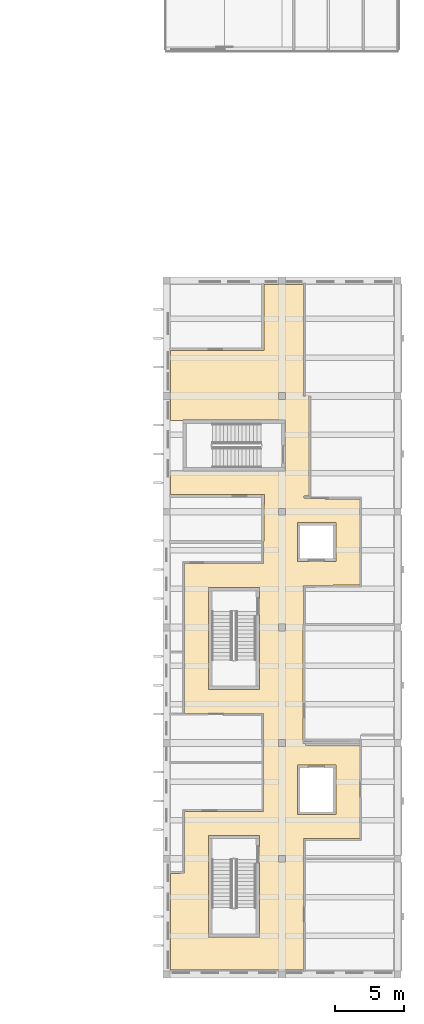
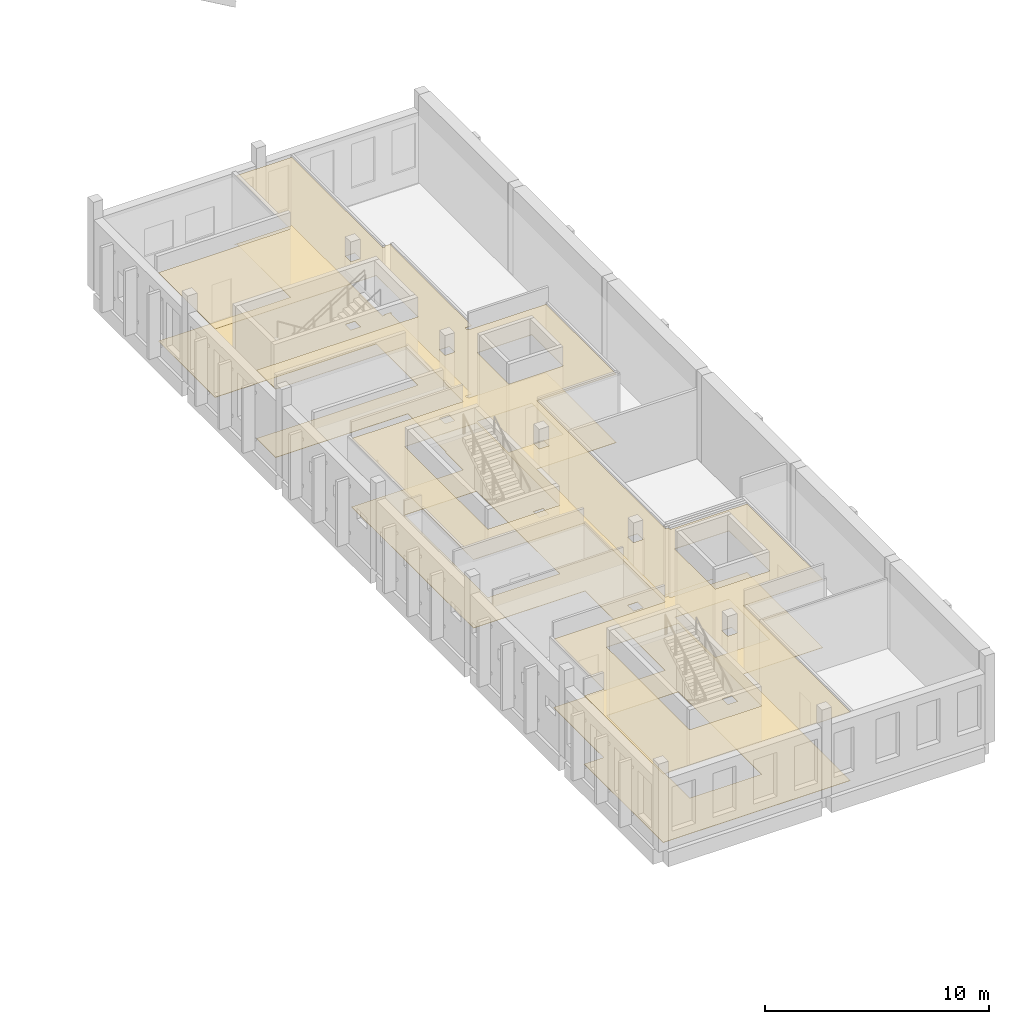
# One storey, part 25 of 37: 2 coverings.
"""IFC4 building model written with IfcOpenShell, lengths in metres."""

from ifc_helpers import new_model, si_unit, direction, frame, origin, place, context, subcontext, project, spatial, polyline, outline, extrude, material, layer, layer_set, type_object, element, save


model = new_model("IFC4")

# Units and contexts
model_context = context("Model", 3, precision=1e-05, world=origin(), true_north=direction((0.0, 1.0)))
body_context = subcontext(model_context, "Body", "Model", "MODEL_VIEW")
ifc_project = project(units=[si_unit("LENGTHUNIT", "METRE"), si_unit("AREAUNIT", "SQUARE_METRE"), si_unit("VOLUMEUNIT", "CUBIC_METRE"), si_unit("PLANEANGLEUNIT", "RADIAN"), si_unit("MASSUNIT", "GRAM", prefix="KILO")], contexts=[model_context])

# Site, building, storey
site_placement = place(None, origin())
site = spatial("IfcSite", under=ifc_project, at=site_placement, CompositionType="ELEMENT")
building_placement = place(site_placement, origin())
building = spatial("IfcBuilding", under=site, at=building_placement, Name="Larchfold Concert Hall", CompositionType="ELEMENT")
storey_placement = place(building_placement, frame((0.0, 0.0, 19.199951171875)))
storey = spatial("IfcBuildingStorey", under=building, at=storey_placement, Name="L04", CompositionType="ELEMENT", Elevation=19.199951171875)

# Coverings
ifc_material_1 = material(Name="Mineral fibre ceiling tile")
ifc_layer_1 = layer(ifc_material_1, 0.02001953125)
ifc_layer_set_1 = layer_set([ifc_layer_1], Name="Mineral fibre ceiling tile")
covering_type_1 = type_object("IfcCoveringType", Name="Ceiling mineral fibre tile 20", PredefinedType="CEILING", material=ifc_layer_set_1)
covering_1_placement = place(storey_placement, frame((0.0, 0.0, 3.72021484375)))
element("IfcCovering", 1, at=covering_1_placement, inside=storey, type_object=covering_type_1, Name="Ceiling Corridor 02", PredefinedType="CEILING", context=body_context, shape_type="SweptSolid", body=[
    extrude(outline(polyline([(84.900390625, 7.9375), (84.900146484375, 7.97412109375), (84.900146484375, 0.900146484375), (94.53759765625, 0.900146484375), (94.53857421875, 10.456298828125), (98.636474609375, 10.46337890625), (98.636474609375, 17.220458984375), (94.681884765625, 17.221435546875), (94.681884765625, 17.367431640625), (94.526611328125, 17.366943359375), (94.52587890625, 17.529052734375), (97.07568359375, 17.53466796875), (94.677001953125, 17.53515625), (94.673828125, 17.60009765625), (94.673828125, 17.533935546875), (94.52392578125, 17.533935546875), (94.525146484375, 26.02001953125), (94.53759765625, 26.02001953125), (94.53759765625, 28.8564453125), (98.636474609375, 28.86328125), (98.636474609375, 35.136474609375), (98.698974609375, 35.136474609375), (94.661376953125, 35.145263671875), (94.66162109375, 35.208251953125), (94.59912109375, 35.20849609375), (94.605712890625, 35.35009765625), (94.9365234375, 35.350830078125), (94.9365234375, 42.58642578125), (94.9990234375, 42.58642578125), (94.9990234375, 42.649169921875), (94.661376953125, 42.65771484375), (94.661376953125, 42.596435546875), (94.536376953125, 42.596435546875), (94.53759765625, 50.699951171875), (91.60009765625, 50.699951171875), (91.7001953125, 50.69970703125), (91.694091796875, 45.90087890625), (84.900146484375, 45.89990234375), (84.900146484375, 40.840087890625), (85.800048828125, 40.840576171875), (85.800048828125, 40.85009765625), (93.199951171875, 40.85009765625), (93.199951171875, 37.14990234375), (85.800048828125, 37.14990234375), (85.800048828125, 37.158935546875), (84.900146484375, 37.159912109375), (84.900146484375, 35.451171875), (91.701171875, 35.44091796875), (91.6982421875, 32.02001953125), (91.660400390625, 32.02001953125), (91.659423828125, 30.4384765625), (85.91357421875, 30.4365234375), (85.91357421875, 19.5634765625), (85.850830078125, 19.5634765625), (91.661376953125, 19.5595703125), (91.66357421875, 12.446533203125), (85.91357421875, 12.4365234375), (85.9140625, 7.947021484375), (84.900390625, 7.9375)]), holes=[polyline([(94.10009765625, 15.800048828125), (96.89990234375, 15.800048828125), (96.89990234375, 12.199951171875), (94.10009765625, 12.199951171875), (94.10009765625, 15.800048828125)]), polyline([(94.10009765625, 33.39990234375), (96.89990234375, 33.39990234375), (96.89990234375, 30.60009765625), (94.10009765625, 30.60009765625), (94.10009765625, 33.39990234375)]), polyline([(93.25, 42.35009765625), (92.75, 42.35009765625), (92.75, 42.85009765625), (93.25, 42.85009765625), (93.25, 42.35009765625)]), polyline([(92.75, 9.25), (93.25, 9.25), (93.25, 8.75), (92.75, 8.75), (92.75, 9.25)]), polyline([(93.25, 17.64990234375), (93.25, 17.14990234375), (92.75, 17.14990234375), (92.75, 17.64990234375), (93.25, 17.64990234375)]), polyline([(93.25, 26.050048828125), (93.25, 25.550048828125), (92.75, 25.550048828125), (92.75, 26.050048828125), (93.25, 26.050048828125)]), polyline([(93.25, 34.449951171875), (93.25, 33.949951171875), (92.75, 33.949951171875), (92.75, 34.449951171875), (93.25, 34.449951171875)]), polyline([(87.64990234375, 10.699951171875), (91.35009765625, 10.699951171875), (91.35009765625, 3.300048828125), (87.64990234375, 3.300048828125), (87.64990234375, 10.699951171875)]), polyline([(87.64990234375, 28.699951171875), (91.35009765625, 28.699951171875), (91.35009765625, 21.300048828125), (87.64990234375, 21.300048828125), (87.64990234375, 28.699951171875)])]), origin(), (0.0, 0.0, 1.0), 0.02001953125),
])
ifc_material_2 = material(Name="Linoleum sheet")
ifc_layer_2 = layer(ifc_material_2, 0.02001953125)
ifc_layer_set_2 = layer_set([ifc_layer_2], Name="Linoleum sheet")
covering_type_2 = type_object("IfcCoveringType", Name="Floor finish vinyl 20", PredefinedType="FLOORING", material=ifc_layer_set_2)
covering_2_placement = place(storey_placement, origin())
element("IfcCovering", 2, at=covering_2_placement, inside=storey, type_object=covering_type_2, Name="Floor finish Corridor 02", PredefinedType="FLOORING", context=body_context, shape_type="SweptSolid", body=[
    extrude(outline(polyline([(84.900390625, 7.9375), (84.900146484375, 7.97412109375), (84.900146484375, 0.900146484375), (94.53759765625, 0.900146484375), (94.53857421875, 10.456298828125), (98.636474609375, 10.46337890625), (98.636474609375, 17.220458984375), (94.681884765625, 17.221435546875), (94.681884765625, 17.367431640625), (94.526611328125, 17.366943359375), (94.52587890625, 17.529052734375), (97.07568359375, 17.53466796875), (94.677001953125, 17.53515625), (94.673828125, 17.60009765625), (94.673828125, 17.533935546875), (94.52392578125, 17.533935546875), (94.525146484375, 26.02001953125), (94.53759765625, 26.02001953125), (94.53759765625, 28.8564453125), (98.636474609375, 28.86328125), (98.636474609375, 35.136474609375), (98.698974609375, 35.136474609375), (94.661376953125, 35.145263671875), (94.66162109375, 35.208251953125), (94.59912109375, 35.20849609375), (94.605712890625, 35.35009765625), (94.9365234375, 35.350830078125), (94.9365234375, 42.58642578125), (94.9990234375, 42.58642578125), (94.9990234375, 42.649169921875), (94.661376953125, 42.65771484375), (94.661376953125, 42.596435546875), (94.536376953125, 42.596435546875), (94.53759765625, 50.699951171875), (91.60009765625, 50.699951171875), (91.7001953125, 50.69970703125), (91.694091796875, 45.90087890625), (84.900146484375, 45.89990234375), (84.900146484375, 40.840087890625), (85.800048828125, 40.840576171875), (85.800048828125, 40.85009765625), (93.199951171875, 40.85009765625), (93.199951171875, 37.14990234375), (85.800048828125, 37.14990234375), (85.800048828125, 37.158935546875), (84.900146484375, 37.159912109375), (84.900146484375, 35.451171875), (91.701171875, 35.44091796875), (91.6982421875, 32.02001953125), (91.660400390625, 32.02001953125), (91.659423828125, 30.4384765625), (85.91357421875, 30.4365234375), (85.91357421875, 19.5634765625), (85.850830078125, 19.5634765625), (91.661376953125, 19.5595703125), (91.66357421875, 12.446533203125), (85.91357421875, 12.4365234375), (85.9140625, 7.947021484375), (84.900390625, 7.9375)]), holes=[polyline([(94.10009765625, 15.800048828125), (96.89990234375, 15.800048828125), (96.89990234375, 12.199951171875), (94.10009765625, 12.199951171875), (94.10009765625, 15.800048828125)]), polyline([(94.10009765625, 33.39990234375), (96.89990234375, 33.39990234375), (96.89990234375, 30.60009765625), (94.10009765625, 30.60009765625), (94.10009765625, 33.39990234375)]), polyline([(93.25, 42.35009765625), (92.75, 42.35009765625), (92.75, 42.85009765625), (93.25, 42.85009765625), (93.25, 42.35009765625)]), polyline([(92.75, 9.25), (93.25, 9.25), (93.25, 8.75), (92.75, 8.75), (92.75, 9.25)]), polyline([(93.25, 17.64990234375), (93.25, 17.14990234375), (92.75, 17.14990234375), (92.75, 17.64990234375), (93.25, 17.64990234375)]), polyline([(93.25, 26.050048828125), (93.25, 25.550048828125), (92.75, 25.550048828125), (92.75, 26.050048828125), (93.25, 26.050048828125)]), polyline([(93.25, 34.449951171875), (93.25, 33.949951171875), (92.75, 33.949951171875), (92.75, 34.449951171875), (93.25, 34.449951171875)]), polyline([(87.64990234375, 10.699951171875), (91.35009765625, 10.699951171875), (91.35009765625, 3.300048828125), (87.64990234375, 3.300048828125), (87.64990234375, 10.699951171875)]), polyline([(87.64990234375, 28.699951171875), (91.35009765625, 28.699951171875), (91.35009765625, 21.300048828125), (87.64990234375, 21.300048828125), (87.64990234375, 28.699951171875)])]), origin(), (0.0, 0.0, 1.0), 0.02001953125),
])

save(model, "model.ifc")
